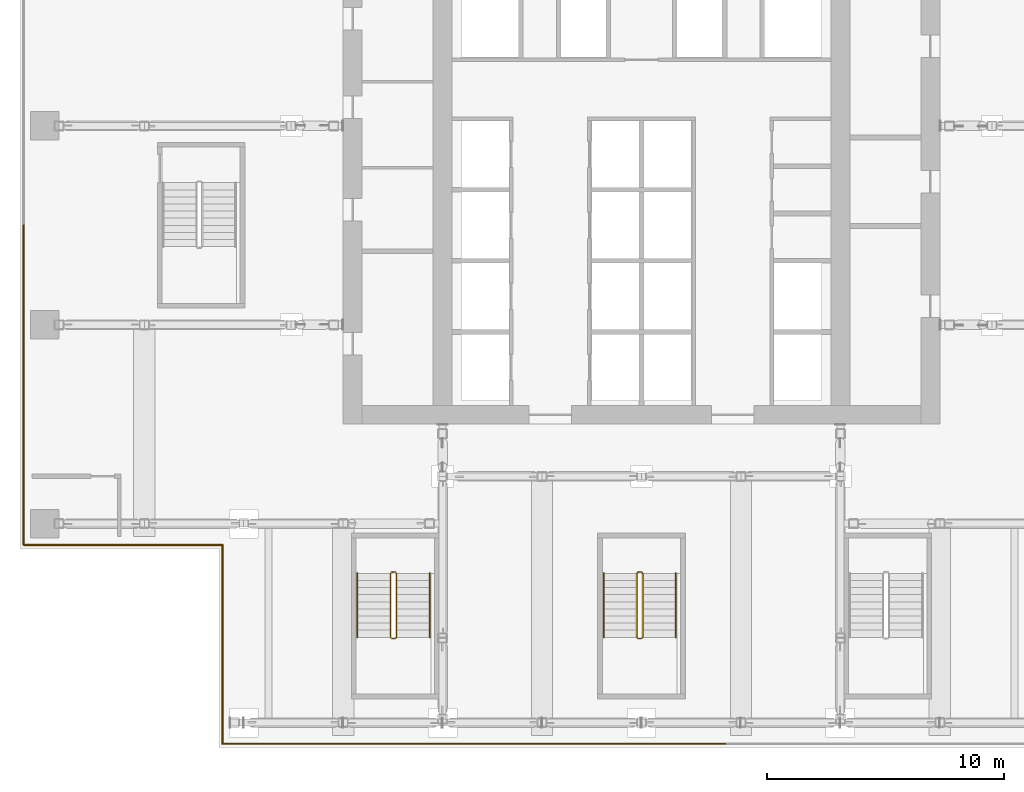
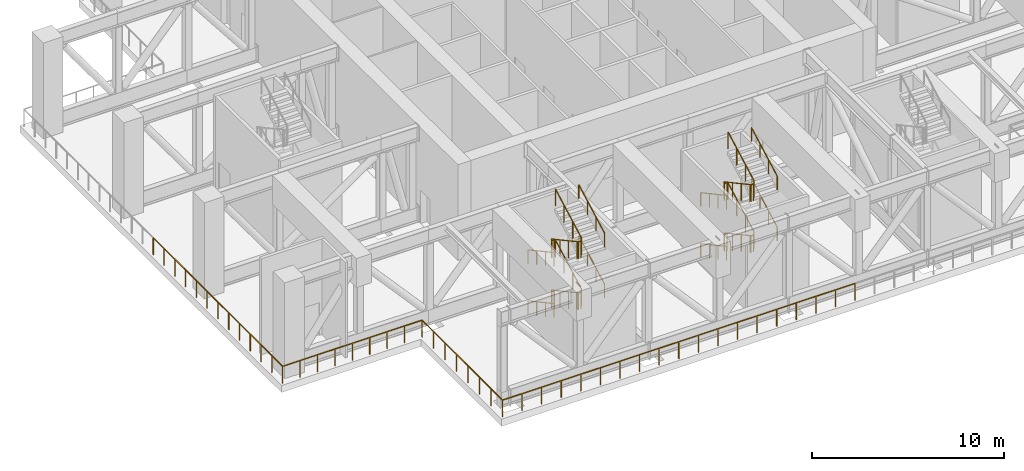
# One storey, part 20 of 23: 17 railings.
"""IFC4 building model written with IfcOpenShell, lengths in metres."""

import ifcopenshell
import ifcopenshell.guid

model = None  # the IFC model being written
_history = None  # IfcOwnerHistory: only IFC2X3 demands one
_inside = {}  # id of a spatial element -> (the spatial element, [elements in it])
_under = {}  # id of a project, library or spatial element -> (it, [spatial elements below it])
_declared = {}  # id of a project -> (the project, [libraries it declares])
_typed = {}  # id of a type object -> (the type object, [elements of that type])
_made_of = {}  # id of a material, layer set ... -> (it, [elements and type objects made of it])


def new_model(schema):
    """Start an empty IFC model of exactly this schema.

    Asked for "IFC4X3", IfcOpenShell would pick the latest addendum, in which some entities
    have other attributes; the version numbers below select the first issue.
    IFC2X3 requires an IfcOwnerHistory on every rooted entity: one is made here for all.
    """
    global model, _history
    if schema == "IFC4X3":
        model = ifcopenshell.file(schema_version=(4, 3, 0, 0))
    else:
        model = ifcopenshell.file(schema=schema)
    _inside.clear()
    _under.clear()
    _declared.clear()
    _typed.clear()
    _made_of.clear()
    _history = None
    if model.schema == "IFC2X3":
        org = make("IfcOrganization", Name="unknown")
        user = make(
            "IfcPersonAndOrganization",
            ThePerson=make("IfcPerson", FamilyName="unknown"),
            TheOrganization=org,
        )
        app = make(
            "IfcApplication",
            ApplicationDeveloper=org,
            Version="unknown",
            ApplicationFullName="unknown",
            ApplicationIdentifier="unknown",
        )
        _history = make(
            "IfcOwnerHistory",
            OwningUser=user,
            OwningApplication=app,
            ChangeAction="ADDED",
            CreationDate=0,
        )
    return model


def make(cls, **values):
    """One entity of the class cls with the attributes given. An attribute that is None is left unset."""
    return model.create_entity(
        cls, **{name: value for name, value in values.items() if value is not None}
    )


def rooted(cls, **values):
    """An entity with a GlobalId (a new one), such as an element, a storey or a relation."""
    return make(cls, GlobalId=ifcopenshell.guid.new(), OwnerHistory=_history, **values)


def si_unit(unit_type, name, prefix=None):
    """IfcSIUnit, for example si_unit("LENGTHUNIT", "METRE", prefix="MILLI")."""
    return make("IfcSIUnit", UnitType=unit_type, Prefix=prefix, Name=name)


def assignment(units):
    """IfcUnitAssignment: the units of a project."""
    return None if units is None else make("IfcUnitAssignment", Units=units)


def point(xyz):
    """IfcCartesianPoint."""
    return None if xyz is None else make("IfcCartesianPoint", Coordinates=xyz)


def direction(xyz):
    """IfcDirection."""
    return None if xyz is None else make("IfcDirection", DirectionRatios=xyz)


def frame(location, z_axis=None, x_axis=None):
    """IfcAxis2Placement3D, a coordinate frame: its origin and axes. An axis left out is left unset."""
    return make(
        "IfcAxis2Placement3D",
        Location=point(location),
        Axis=direction(z_axis),
        RefDirection=direction(x_axis),
    )


def frame_2d(location, x_axis=None):
    """IfcAxis2Placement2D, a coordinate frame in the plane: its origin and x axis."""
    return make(
        "IfcAxis2Placement2D", Location=point(location), RefDirection=direction(x_axis)
    )


def origin():
    """The frame at (0, 0, 0) with its axes left unset."""
    return frame((0.0, 0.0, 0.0))


def origin_2d():
    """The frame at (0, 0) in the plane with its x axis left unset."""
    return frame_2d((0.0, 0.0))


def place(relative_to, where):
    """IfcLocalPlacement: puts the frame where relative to a parent placement (None: the world)."""
    return make(
        "IfcLocalPlacement", PlacementRelTo=relative_to, RelativePlacement=where
    )


def context(
    kind, dimensions, precision=None, world=None, true_north=None, identifier=None
):
    """IfcGeometricRepresentationContext, for example the 3D "Model" context."""
    return make(
        "IfcGeometricRepresentationContext",
        ContextIdentifier=identifier,
        ContextType=kind,
        CoordinateSpaceDimension=dimensions,
        Precision=precision,
        WorldCoordinateSystem=world,
        TrueNorth=true_north,
    )


def subcontext(parent, identifier, kind, view, scale=None):
    """IfcGeometricRepresentationSubContext, for example "Body" below "Model"."""
    return make(
        "IfcGeometricRepresentationSubContext",
        ContextIdentifier=identifier,
        ContextType=kind,
        ParentContext=parent,
        TargetScale=scale,
        TargetView=view,
    )


def project(units=None, contexts=None):
    """IfcProject with its units and contexts."""
    return rooted(
        "IfcProject",
        Name="project",
        RepresentationContexts=contexts,
        UnitsInContext=assignment(units),
    )


def spatial(cls, under=None, at=None, **own):
    """A site, building, storey or space (cls), placed at a placement, below another one or the project."""
    s = rooted(cls, ObjectPlacement=at, **own)
    if under is not None:
        _under.setdefault(under.id(), (under, []))[1].append(s)
    return s


def profile(cls, at=None, kind="AREA", **sizes):
    """A parametric profile (cls). Its sizes go by their IFC names, for example OverallWidth=200.0."""
    return make(cls, ProfileType=kind, Position=at, **sizes)


def rectangle(**sizes):
    """IfcRectangleProfileDef."""
    return profile("IfcRectangleProfileDef", **sizes)


def extrude(swept, where, along, depth):
    """IfcExtrudedAreaSolid: the profile swept, set in the frame where, extruded along a direction by depth."""
    return make(
        "IfcExtrudedAreaSolid",
        SweptArea=swept,
        Position=where,
        ExtrudedDirection=direction(along),
        Depth=depth,
    )


def shape(context_of_items, identifier, shape_type, items):
    """IfcShapeRepresentation: the items that make up one representation, for example the "Body"."""
    return make(
        "IfcShapeRepresentation",
        ContextOfItems=context_of_items,
        RepresentationIdentifier=identifier,
        RepresentationType=shape_type,
        Items=items,
    )


def material(Name=None, Category=None):
    """IfcMaterial."""
    return make("IfcMaterial", Name=Name, Category=Category)


def made_of(thing, what):
    """Note that an element or type object is made of a material, layer set ...; save() writes the relation."""
    if what is not None:
        _made_of.setdefault(what.id(), (what, []))[1].append(thing)
    return thing


def type_object(cls, material=None, **own):
    """A type object (cls), such as IfcWallType, which elements share."""
    return made_of(rooted(cls, **own), material)


def element(
    cls,
    number,
    at=None,
    inside=None,
    cuts=None,
    type_object=None,
    material=None,
    context=None,
    identifier="Body",
    shape_type=None,
    held_by="IfcProductDefinitionShape",
    body=None,
    shapes=None,
    **own,
):
    """One element of the class cls, such as IfcWall. Its Tag is "e" and its number.

    at: its placement. inside: the storey or other place that contains it. cuts: it is an
    opening in that element (IfcRelVoidsElement). A single representation is given by context,
    identifier, shape_type and body (its items); several are given by shapes. held_by: the class
    of the entity that holds the representations. save() writes the other relations.
    """
    e = rooted(cls, Tag="e%d" % number, ObjectPlacement=at, **own)
    if body is not None:
        shapes = [shape(context, identifier, shape_type, body)]
    if shapes is not None:
        e.Representation = make(held_by, Representations=shapes)
    if inside is not None:
        _inside.setdefault(inside.id(), (inside, []))[1].append(e)
    if cuts is not None:
        rooted(
            "IfcRelVoidsElement", RelatingBuildingElement=cuts, RelatedOpeningElement=e
        )
    if type_object is not None:
        _typed.setdefault(type_object.id(), (type_object, []))[1].append(e)
    return made_of(e, material)


def aggregate(whole, parts):
    """IfcRelAggregates: a whole, such as a stair, and the parts it consists of."""
    return rooted("IfcRelAggregates", RelatingObject=whole, RelatedObjects=parts)


def save(model, path):
    """Write the relations noted so far, then the file.

    IfcRelAggregates (storeys below a building ...), IfcRelContainedInSpatialStructure (elements
    in a storey), IfcRelDefinesByType, IfcRelAssociatesMaterial and IfcRelDeclares: one each for
    every whole, place, type object, material and project.
    """
    for whole, parts in _under.values():
        aggregate(whole, parts)
    for where, things in _inside.values():
        rooted(
            "IfcRelContainedInSpatialStructure",
            RelatedElements=things,
            RelatingStructure=where,
        )
    for kind, things in _typed.values():
        rooted("IfcRelDefinesByType", RelatedObjects=things, RelatingType=kind)
    for what, things in _made_of.values():
        rooted("IfcRelAssociatesMaterial", RelatedObjects=things, RelatingMaterial=what)
    for by, libraries in _declared.values():
        rooted("IfcRelDeclares", RelatingContext=by, RelatedDefinitions=libraries)
    model.write(path)


model = new_model("IFC4")

# Units and contexts
model_context = context("Model", 3, precision=1e-05, world=origin(), true_north=direction((0.0, 1.0)))
body_context = subcontext(model_context, "Body", "Model", "MODEL_VIEW")
ifc_project = project(units=[si_unit("LENGTHUNIT", "METRE"), si_unit("AREAUNIT", "SQUARE_METRE"), si_unit("VOLUMEUNIT", "CUBIC_METRE"), si_unit("PLANEANGLEUNIT", "RADIAN"), si_unit("MASSUNIT", "GRAM", prefix="KILO")], contexts=[model_context])

# Site, building, storey
site_placement = place(None, origin())
site = spatial("IfcSite", under=ifc_project, at=site_placement, CompositionType="ELEMENT")
building_placement = place(site_placement, origin())
building = spatial("IfcBuilding", under=site, at=building_placement, Name="Vermilion Ogive Tower", CompositionType="ELEMENT")
storey_placement = place(building_placement, frame((0.0, 0.0, 121.800048828125)))
storey = spatial("IfcBuildingStorey", under=building, at=storey_placement, Name="L31", CompositionType="ELEMENT", Elevation=121.800048828125)

# Railings
ifc_material_1 = material(Name="Stainless steel and glass", Category="steel")
railing_type_1 = type_object("IfcRailingType", Name="Edge guard", PredefinedType="GUARDRAIL", material=ifc_material_1)
railing_1_placement = place(storey_placement, frame((-17.699951171875, -21.89990234375, 0.0)))
element("IfcRailing", 1, at=railing_1_placement, inside=storey, type_object=railing_type_1, Name="Open edge guard L31 1.1", PredefinedType="GUARDRAIL", context=body_context, shape_type="SweptSolid", body=[
    extrude(rectangle(XDim=0.048095703125, YDim=0.048095703125, at=origin_2d()), frame((0.0, 0.0, 1.076171875), z_axis=(0.0, 1.0, 0.0), x_axis=(-1.0, 0.0, 0.0)), (0.0, 0.0, 1.0), 8.39990234375),
    extrude(rectangle(XDim=0.0419921875, YDim=0.0419921875, at=origin_2d()), origin(), (0.0, 0.0, 1.0), 1.052001953125),
    extrude(rectangle(XDim=0.0419921875, YDim=0.0419921875, at=origin_2d()), frame((0.0, 1.199951171875, 0.0)), (0.0, 0.0, 1.0), 1.052001953125),
    extrude(rectangle(XDim=0.0419921875, YDim=0.0419921875, at=origin_2d()), frame((0.0, 2.39990234375, 0.0)), (0.0, 0.0, 1.0), 1.052001953125),
    extrude(rectangle(XDim=0.0419921875, YDim=0.0419921875, at=origin_2d()), frame((0.0, 3.599853515625, 0.0)), (0.0, 0.0, 1.0), 1.052001953125),
    extrude(rectangle(XDim=0.0419921875, YDim=0.0419921875, at=origin_2d()), frame((0.0, 4.800048828125, 0.0)), (0.0, 0.0, 1.0), 1.052001953125),
    extrude(rectangle(XDim=0.0419921875, YDim=0.0419921875, at=origin_2d()), frame((0.0, 6.0, 0.0)), (0.0, 0.0, 1.0), 1.052001953125),
    extrude(rectangle(XDim=0.0419921875, YDim=0.0419921875, at=origin_2d()), frame((0.0, 7.199951171875, 0.0)), (0.0, 0.0, 1.0), 1.052001953125),
    extrude(rectangle(XDim=0.0419921875, YDim=0.0419921875, at=origin_2d()), frame((0.0, 8.39990234375, 0.0)), (0.0, 0.0, 1.0), 1.052001953125),
])
railing_2_placement = place(storey_placement, frame((-17.699951171875, -13.5, 0.0)))
element("IfcRailing", 2, at=railing_2_placement, inside=storey, type_object=railing_type_1, Name="Open edge guard L31 2.1", PredefinedType="GUARDRAIL", context=body_context, shape_type="SweptSolid", body=[
    extrude(rectangle(XDim=0.048095703125, YDim=0.048095703125, at=origin_2d()), frame((0.0, 0.0, 1.076171875), z_axis=(-1.0, 0.0, 0.0), x_axis=(0.0, -1.0, 0.0)), (0.0, 0.0, 1.0), 8.400146484375),
    extrude(rectangle(XDim=0.0419921875, YDim=0.0419921875, at=origin_2d()), origin(), (0.0, 0.0, 1.0), 1.052001953125),
    extrude(rectangle(XDim=0.0419921875, YDim=0.0419921875, at=origin_2d()), frame((-1.050048828125, 0.0, 0.0)), (0.0, 0.0, 1.0), 1.052001953125),
    extrude(rectangle(XDim=0.0419921875, YDim=0.0419921875, at=origin_2d()), frame((-2.10009765625, 0.0, 0.0)), (0.0, 0.0, 1.0), 1.052001953125),
    extrude(rectangle(XDim=0.0419921875, YDim=0.0419921875, at=origin_2d()), frame((-3.150146484375, 0.0, 0.0)), (0.0, 0.0, 1.0), 1.052001953125),
    extrude(rectangle(XDim=0.0419921875, YDim=0.0419921875, at=origin_2d()), frame((-4.2001953125, 0.0, 0.0)), (0.0, 0.0, 1.0), 1.052001953125),
    extrude(rectangle(XDim=0.0419921875, YDim=0.0419921875, at=origin_2d()), frame((-5.25, 0.0, 0.0)), (0.0, 0.0, 1.0), 1.052001953125),
    extrude(rectangle(XDim=0.0419921875, YDim=0.0419921875, at=origin_2d()), frame((-6.300048828125, 0.0, 0.0)), (0.0, 0.0, 1.0), 1.052001953125),
    extrude(rectangle(XDim=0.0419921875, YDim=0.0419921875, at=origin_2d()), frame((-7.35009765625, 0.0, 0.0)), (0.0, 0.0, 1.0), 1.052001953125),
    extrude(rectangle(XDim=0.0419921875, YDim=0.0419921875, at=origin_2d()), frame((-8.400146484375, 0.0, 0.0)), (0.0, 0.0, 1.0), 1.052001953125),
])
for number, where, name in (
    (3, (-26.10009765625, -13.5, 0.0), "Open edge guard L31 3.1"),
    (4, (-26.10009765625, -6.75, 0.0), "Open edge guard L31 3.2"),
):
    element("IfcRailing", number, at=place(storey_placement, frame(where)), inside=storey, type_object=railing_type_1, Name=name, PredefinedType="GUARDRAIL", context=body_context, shape_type="SweptSolid", body=[
        extrude(rectangle(XDim=0.048095703125, YDim=0.048095703125, at=origin_2d()), frame((0.0, 0.0, 1.076171875), z_axis=(0.0, 1.0, 0.0), x_axis=(-1.0, 0.0, 0.0)), (0.0, 0.0, 1.0), 6.75),
        extrude(rectangle(XDim=0.0419921875, YDim=0.0419921875, at=origin_2d()), origin(), (0.0, 0.0, 1.0), 1.052001953125),
        extrude(rectangle(XDim=0.0419921875, YDim=0.0419921875, at=origin_2d()), frame((0.0, 1.125, 0.0)), (0.0, 0.0, 1.0), 1.052001953125),
        extrude(rectangle(XDim=0.0419921875, YDim=0.0419921875, at=origin_2d()), frame((0.0, 2.25, 0.0)), (0.0, 0.0, 1.0), 1.052001953125),
        extrude(rectangle(XDim=0.0419921875, YDim=0.0419921875, at=origin_2d()), frame((0.0, 3.375, 0.0)), (0.0, 0.0, 1.0), 1.052001953125),
        extrude(rectangle(XDim=0.0419921875, YDim=0.0419921875, at=origin_2d()), frame((0.0, 4.5, 0.0)), (0.0, 0.0, 1.0), 1.052001953125),
        extrude(rectangle(XDim=0.0419921875, YDim=0.0419921875, at=origin_2d()), frame((0.0, 5.625, 0.0)), (0.0, 0.0, 1.0), 1.052001953125),
        extrude(rectangle(XDim=0.0419921875, YDim=0.0419921875, at=origin_2d()), frame((0.0, 6.75, 0.0)), (0.0, 0.0, 1.0), 1.052001953125),
    ])
for number, where, name in (
    (5, (3.5400390625, -21.89990234375, 0.0), "Open edge guard L31 12.3"),
    (6, (-3.5400390625, -21.89990234375, 0.0), "Open edge guard L31 12.4"),
):
    element("IfcRailing", number, at=place(storey_placement, frame(where)), inside=storey, type_object=railing_type_1, Name=name, PredefinedType="GUARDRAIL", context=body_context, shape_type="SweptSolid", body=[
        extrude(rectangle(XDim=0.048095703125, YDim=0.048095703125, at=origin_2d()), frame((0.0, 0.0, 1.076171875), z_axis=(-1.0, 0.0, 0.0), x_axis=(0.0, -1.0, 0.0)), (0.0, 0.0, 1.0), 7.080078125),
        extrude(rectangle(XDim=0.0419921875, YDim=0.0419921875, at=origin_2d()), origin(), (0.0, 0.0, 1.0), 1.052001953125),
        extrude(rectangle(XDim=0.0419921875, YDim=0.0419921875, at=origin_2d()), frame((-1.179931640625, 0.0, 0.0)), (0.0, 0.0, 1.0), 1.052001953125),
        extrude(rectangle(XDim=0.0419921875, YDim=0.0419921875, at=origin_2d()), frame((-2.360107421875, 0.0, 0.0)), (0.0, 0.0, 1.0), 1.052001953125),
        extrude(rectangle(XDim=0.0419921875, YDim=0.0419921875, at=origin_2d()), frame((-3.5400390625, 0.0, 0.0)), (0.0, 0.0, 1.0), 1.052001953125),
        extrude(rectangle(XDim=0.0419921875, YDim=0.0419921875, at=origin_2d()), frame((-4.719970703125, 0.0, 0.0)), (0.0, 0.0, 1.0), 1.052001953125),
        extrude(rectangle(XDim=0.0419921875, YDim=0.0419921875, at=origin_2d()), frame((-5.900146484375, 0.0, 0.0)), (0.0, 0.0, 1.0), 1.052001953125),
        extrude(rectangle(XDim=0.0419921875, YDim=0.0419921875, at=origin_2d()), frame((-7.080078125, 0.0, 0.0)), (0.0, 0.0, 1.0), 1.052001953125),
    ])
railing_3_placement = place(storey_placement, frame((-10.6201171875, -21.89990234375, 0.0)))
element("IfcRailing", 7, at=railing_3_placement, inside=storey, type_object=railing_type_1, Name="Open edge guard L31 12.5", PredefinedType="GUARDRAIL", context=body_context, shape_type="SweptSolid", body=[
    extrude(rectangle(XDim=0.048095703125, YDim=0.048095703125, at=origin_2d()), frame((0.0, 0.0, 1.076171875), z_axis=(-1.0, 0.0, 0.0), x_axis=(0.0, -1.0, 0.0)), (0.0, 0.0, 1.0), 7.079833984375),
    extrude(rectangle(XDim=0.0419921875, YDim=0.0419921875, at=origin_2d()), origin(), (0.0, 0.0, 1.0), 1.052001953125),
    extrude(rectangle(XDim=0.0419921875, YDim=0.0419921875, at=origin_2d()), frame((-1.179931640625, 0.0, 0.0)), (0.0, 0.0, 1.0), 1.052001953125),
    extrude(rectangle(XDim=0.0419921875, YDim=0.0419921875, at=origin_2d()), frame((-2.35986328125, 0.0, 0.0)), (0.0, 0.0, 1.0), 1.052001953125),
    extrude(rectangle(XDim=0.0419921875, YDim=0.0419921875, at=origin_2d()), frame((-3.5400390625, 0.0, 0.0)), (0.0, 0.0, 1.0), 1.052001953125),
    extrude(rectangle(XDim=0.0419921875, YDim=0.0419921875, at=origin_2d()), frame((-4.719970703125, 0.0, 0.0)), (0.0, 0.0, 1.0), 1.052001953125),
    extrude(rectangle(XDim=0.0419921875, YDim=0.0419921875, at=origin_2d()), frame((-5.89990234375, 0.0, 0.0)), (0.0, 0.0, 1.0), 1.052001953125),
    extrude(rectangle(XDim=0.0419921875, YDim=0.0419921875, at=origin_2d()), frame((-7.079833984375, 0.0, 0.0)), (0.0, 0.0, 1.0), 1.052001953125),
])
ifc_material_2 = material(Name="Steel S355 painted", Category="steel")
railing_type_2 = type_object("IfcRailingType", Name="Stair guard 1100", PredefinedType="GUARDRAIL", material=ifc_material_2)
railing_4_placement = place(storey_placement, frame((-10.39990234375, -14.64990234375, 0.0)))
element("IfcRailing", 8, at=railing_4_placement, inside=storey, type_object=railing_type_2, Name="L31 ST3 stair guard 8", PredefinedType="GUARDRAIL", context=body_context, shape_type="SweptSolid", body=[
    extrude(rectangle(XDim=0.048095703125, YDim=0.048095703125, at=origin_2d()), frame((0.0, 0.0, 1.076171875), z_axis=(-1.0, 0.0, 0.0), x_axis=(0.0, -1.0, 0.0)), (0.0, 0.0, 1.0), 0.150146484375),
    extrude(rectangle(XDim=0.048095703125, YDim=0.048095703125, at=origin_2d()), frame((-0.150146484375, 0.0, 1.076171875), z_axis=(-0.282583949758, -0.282583949758, 0.916674763849), x_axis=(0.707106781187, -0.707106781187, 0.0)), (0.0, 0.0, 1.0), 0.177001953125),
    extrude(rectangle(XDim=0.048095703125, YDim=0.048095703125, at=origin_2d()), frame((-0.2001953125, -0.050048828125, 1.23828125), z_axis=(0.0, -0.879268380148, 0.476326690069), x_axis=(1.0, 0.0, 0.0)), (0.0, 0.0, 1.0), 3.07080078125),
    extrude(rectangle(XDim=0.048095703125, YDim=0.048095703125, at=origin_2d()), frame((-0.2001953125, -2.75, 2.701171875), z_axis=(0.707106781187, -0.707106781187, 0.0), x_axis=(0.707106781187, 0.707106781187, 0.0)), (0.0, 0.0, 1.0), 0.07080078125),
    extrude(rectangle(XDim=0.048095703125, YDim=0.048095703125, at=origin_2d()), frame((-0.150146484375, -2.800048828125, 2.701171875), z_axis=(1.0, 0.0, 0.0), x_axis=(0.0, 1.0, 0.0)), (0.0, 0.0, 1.0), 0.150146484375),
    extrude(rectangle(XDim=0.048095703125, YDim=0.048095703125, at=origin_2d()), frame((0.0, -2.800048828125, 2.701171875), z_axis=(0.281314826061, 0.282693820306, 0.917031173188), x_axis=(-0.708833529934, 0.705375805398, 0.0)), (0.0, 0.0, 1.0), 0.177001953125),
    extrude(rectangle(XDim=0.048095703125, YDim=0.048095703125, at=origin_2d()), frame((0.0498046875, -2.75, 2.86328125), z_axis=(0.0, 0.879268380148, 0.476326690069), x_axis=(-1.0, 0.0, 0.0)), (0.0, 0.0, 1.0), 3.07080078125),
    extrude(rectangle(XDim=0.048095703125, YDim=0.048095703125, at=origin_2d()), frame((0.0498046875, -0.050048828125, 4.326171875), z_axis=(-0.705375805398, 0.708833529934, 0.0), x_axis=(-0.708833529934, -0.705375805398, 0.0)), (0.0, 0.0, 1.0), 0.070556640625),
    extrude(rectangle(XDim=0.048095703125, YDim=0.048095703125, at=origin_2d()), frame((0.0, 0.0, 4.326171875), z_axis=(-1.0, 0.0, 0.0), x_axis=(0.0, -1.0, 0.0)), (0.0, 0.0, 1.0), 0.150146484375),
    extrude(rectangle(XDim=0.048095703125, YDim=0.048095703125, at=origin_2d()), frame((-0.150146484375, 0.0, 4.326171875), z_axis=(-0.282583949758, -0.282583949758, 0.916674763849), x_axis=(0.707106781187, -0.707106781187, 0.0)), (0.0, 0.0, 1.0), 0.177001953125),
    extrude(rectangle(XDim=0.048095703125, YDim=0.048095703125, at=origin_2d()), frame((-0.2001953125, -0.050048828125, 4.48828125), z_axis=(0.0, -0.879268380148, 0.476326690069), x_axis=(1.0, 0.0, 0.0)), (0.0, 0.0, 1.0), 3.07080078125),
    extrude(rectangle(XDim=0.048095703125, YDim=0.048095703125, at=origin_2d()), frame((-0.2001953125, -2.75, 5.951171875), z_axis=(0.707106781187, -0.707106781187, 0.0), x_axis=(0.707106781187, 0.707106781187, 0.0)), (0.0, 0.0, 1.0), 0.07080078125),
    extrude(rectangle(XDim=0.048095703125, YDim=0.048095703125, at=origin_2d()), frame((-0.150146484375, -2.800048828125, 5.951171875), z_axis=(1.0, 0.0, 0.0), x_axis=(0.0, 1.0, 0.0)), (0.0, 0.0, 1.0), 0.150146484375),
    extrude(rectangle(XDim=0.048095703125, YDim=0.048095703125, at=origin_2d()), frame((0.0, -2.800048828125, 5.951171875), z_axis=(0.281314826061, 0.282693820306, 0.917031173188), x_axis=(-0.708833529934, 0.705375805398, 0.0)), (0.0, 0.0, 1.0), 0.177001953125),
    extrude(rectangle(XDim=0.048095703125, YDim=0.048095703125, at=origin_2d()), frame((0.0498046875, -2.75, 6.11328125), z_axis=(0.0, 0.879268380148, 0.476326690069), x_axis=(-1.0, 0.0, 0.0)), (0.0, 0.0, 1.0), 3.07080078125),
    extrude(rectangle(XDim=0.0419921875, YDim=0.0419921875, at=origin_2d()), origin(), (0.0, 0.0, 1.0), 1.052001953125),
    extrude(rectangle(XDim=0.0419921875, YDim=0.0419921875, at=origin_2d()), frame((-0.150146484375, 0.0, 0.0)), (0.0, 0.0, 1.0), 1.052001953125),
    extrude(rectangle(XDim=0.0419921875, YDim=0.0419921875, at=origin_2d()), frame((-0.2001953125, -0.050048828125, 0.162353515625)), (0.0, 0.0, 1.0), 1.052001953125),
    extrude(rectangle(XDim=0.0419921875, YDim=0.0419921875, at=origin_2d()), frame((-0.2001953125, -0.949951171875, 0.64990234375)), (0.0, 0.0, 1.0), 1.052001953125),
    extrude(rectangle(XDim=0.0419921875, YDim=0.0419921875, at=origin_2d()), frame((-0.2001953125, -1.85009765625, 1.137451171875)), (0.0, 0.0, 1.0), 1.052001953125),
    extrude(rectangle(XDim=0.0419921875, YDim=0.0419921875, at=origin_2d()), frame((-0.2001953125, -2.75, 1.625)), (0.0, 0.0, 1.0), 1.052001953125),
    extrude(rectangle(XDim=0.0419921875, YDim=0.0419921875, at=origin_2d()), frame((-0.150146484375, -2.800048828125, 1.625)), (0.0, 0.0, 1.0), 1.052001953125),
    extrude(rectangle(XDim=0.0419921875, YDim=0.0419921875, at=origin_2d()), frame((0.0, -2.800048828125, 1.625)), (0.0, 0.0, 1.0), 1.052001953125),
    extrude(rectangle(XDim=0.0419921875, YDim=0.0419921875, at=origin_2d()), frame((0.0498046875, -2.75, 1.787353515625)), (0.0, 0.0, 1.0), 1.052001953125),
    extrude(rectangle(XDim=0.0419921875, YDim=0.0419921875, at=origin_2d()), frame((0.0498046875, -1.85009765625, 2.27490234375)), (0.0, 0.0, 1.0), 1.052001953125),
    extrude(rectangle(XDim=0.0419921875, YDim=0.0419921875, at=origin_2d()), frame((0.0498046875, -0.949951171875, 2.762451171875)), (0.0, 0.0, 1.0), 1.052001953125),
    extrude(rectangle(XDim=0.0419921875, YDim=0.0419921875, at=origin_2d()), frame((0.0498046875, -0.050048828125, 3.25)), (0.0, 0.0, 1.0), 1.052001953125),
    extrude(rectangle(XDim=0.0419921875, YDim=0.0419921875, at=origin_2d()), frame((0.0, 0.0, 3.25)), (0.0, 0.0, 1.0), 1.052001953125),
    extrude(rectangle(XDim=0.0419921875, YDim=0.0419921875, at=origin_2d()), frame((-0.150146484375, 0.0, 3.25)), (0.0, 0.0, 1.0), 1.052001953125),
    extrude(rectangle(XDim=0.0419921875, YDim=0.0419921875, at=origin_2d()), frame((-0.2001953125, -0.050048828125, 3.412353515625)), (0.0, 0.0, 1.0), 1.052001953125),
    extrude(rectangle(XDim=0.0419921875, YDim=0.0419921875, at=origin_2d()), frame((-0.2001953125, -0.949951171875, 3.89990234375)), (0.0, 0.0, 1.0), 1.052001953125),
    extrude(rectangle(XDim=0.0419921875, YDim=0.0419921875, at=origin_2d()), frame((-0.2001953125, -1.85009765625, 4.387451171875)), (0.0, 0.0, 1.0), 1.052001953125),
    extrude(rectangle(XDim=0.0419921875, YDim=0.0419921875, at=origin_2d()), frame((-0.2001953125, -2.75, 4.875)), (0.0, 0.0, 1.0), 1.052001953125),
    extrude(rectangle(XDim=0.0419921875, YDim=0.0419921875, at=origin_2d()), frame((-0.150146484375, -2.800048828125, 4.875)), (0.0, 0.0, 1.0), 1.052001953125),
    extrude(rectangle(XDim=0.0419921875, YDim=0.0419921875, at=origin_2d()), frame((0.0, -2.800048828125, 4.875)), (0.0, 0.0, 1.0), 1.052001953125),
    extrude(rectangle(XDim=0.0419921875, YDim=0.0419921875, at=origin_2d()), frame((0.0498046875, -2.75, 5.037353515625)), (0.0, 0.0, 1.0), 1.052001953125),
    extrude(rectangle(XDim=0.0419921875, YDim=0.0419921875, at=origin_2d()), frame((0.0498046875, -1.85009765625, 5.52490234375)), (0.0, 0.0, 1.0), 1.052001953125),
    extrude(rectangle(XDim=0.0419921875, YDim=0.0419921875, at=origin_2d()), frame((0.0498046875, -0.949951171875, 6.012451171875)), (0.0, 0.0, 1.0), 1.052001953125),
    extrude(rectangle(XDim=0.0419921875, YDim=0.0419921875, at=origin_2d()), frame((0.0498046875, -0.050048828125, 6.5)), (0.0, 0.0, 1.0), 1.052001953125),
])
railing_5_placement = place(storey_placement, frame((0.0, -14.64990234375, 0.0)))
element("IfcRailing", 9, at=railing_5_placement, inside=storey, type_object=railing_type_2, Name="L31 ST4 stair guard 8", PredefinedType="GUARDRAIL", context=body_context, shape_type="SweptSolid", body=[
    extrude(rectangle(XDim=0.048095703125, YDim=0.048095703125, at=origin_2d()), frame((0.0, 0.0, 1.076171875), z_axis=(-1.0, 0.0, 0.0), x_axis=(0.0, -1.0, 0.0)), (0.0, 0.0, 1.0), 0.14990234375),
    extrude(rectangle(XDim=0.048095703125, YDim=0.048095703125, at=origin_2d()), frame((-0.14990234375, 0.0, 1.076171875), z_axis=(-0.282583949758, -0.282583949758, 0.916674763849), x_axis=(0.707106781187, -0.707106781187, 0.0)), (0.0, 0.0, 1.0), 0.177001953125),
    extrude(rectangle(XDim=0.048095703125, YDim=0.048095703125, at=origin_2d()), frame((-0.199951171875, -0.050048828125, 1.23828125), z_axis=(0.0, -0.879268380148, 0.476326690069), x_axis=(1.0, 0.0, 0.0)), (0.0, 0.0, 1.0), 3.07080078125),
    extrude(rectangle(XDim=0.048095703125, YDim=0.048095703125, at=origin_2d()), frame((-0.199951171875, -2.75, 2.701171875), z_axis=(0.707106781187, -0.707106781187, 0.0), x_axis=(0.707106781187, 0.707106781187, 0.0)), (0.0, 0.0, 1.0), 0.07080078125),
    extrude(rectangle(XDim=0.048095703125, YDim=0.048095703125, at=origin_2d()), frame((-0.14990234375, -2.800048828125, 2.701171875), z_axis=(1.0, 0.0, 0.0), x_axis=(0.0, 1.0, 0.0)), (0.0, 0.0, 1.0), 0.14990234375),
    extrude(rectangle(XDim=0.048095703125, YDim=0.048095703125, at=origin_2d()), frame((0.0, -2.800048828125, 2.701171875), z_axis=(0.282583949758, 0.282583949758, 0.916674763849), x_axis=(-0.707106781187, 0.707106781187, 0.0)), (0.0, 0.0, 1.0), 0.177001953125),
    extrude(rectangle(XDim=0.048095703125, YDim=0.048095703125, at=origin_2d()), frame((0.050048828125, -2.75, 2.86328125), z_axis=(0.0, 0.879268380148, 0.476326690069), x_axis=(-1.0, 0.0, 0.0)), (0.0, 0.0, 1.0), 3.07080078125),
    extrude(rectangle(XDim=0.048095703125, YDim=0.048095703125, at=origin_2d()), frame((0.050048828125, -0.050048828125, 4.326171875), z_axis=(-0.707106781187, 0.707106781187, 0.0), x_axis=(-0.707106781187, -0.707106781187, 0.0)), (0.0, 0.0, 1.0), 0.07080078125),
    extrude(rectangle(XDim=0.048095703125, YDim=0.048095703125, at=origin_2d()), frame((0.0, 0.0, 4.326171875), z_axis=(-1.0, 0.0, 0.0), x_axis=(0.0, -1.0, 0.0)), (0.0, 0.0, 1.0), 0.14990234375),
    extrude(rectangle(XDim=0.048095703125, YDim=0.048095703125, at=origin_2d()), frame((-0.14990234375, 0.0, 4.326171875), z_axis=(-0.282583949758, -0.282583949758, 0.916674763849), x_axis=(0.707106781187, -0.707106781187, 0.0)), (0.0, 0.0, 1.0), 0.177001953125),
    extrude(rectangle(XDim=0.048095703125, YDim=0.048095703125, at=origin_2d()), frame((-0.199951171875, -0.050048828125, 4.48828125), z_axis=(0.0, -0.879268380148, 0.476326690069), x_axis=(1.0, 0.0, 0.0)), (0.0, 0.0, 1.0), 3.07080078125),
    extrude(rectangle(XDim=0.048095703125, YDim=0.048095703125, at=origin_2d()), frame((-0.199951171875, -2.75, 5.951171875), z_axis=(0.707106781187, -0.707106781187, 0.0), x_axis=(0.707106781187, 0.707106781187, 0.0)), (0.0, 0.0, 1.0), 0.07080078125),
    extrude(rectangle(XDim=0.048095703125, YDim=0.048095703125, at=origin_2d()), frame((-0.14990234375, -2.800048828125, 5.951171875), z_axis=(1.0, 0.0, 0.0), x_axis=(0.0, 1.0, 0.0)), (0.0, 0.0, 1.0), 0.14990234375),
    extrude(rectangle(XDim=0.048095703125, YDim=0.048095703125, at=origin_2d()), frame((0.0, -2.800048828125, 5.951171875), z_axis=(0.282583949758, 0.282583949758, 0.916674763849), x_axis=(-0.707106781187, 0.707106781187, 0.0)), (0.0, 0.0, 1.0), 0.177001953125),
    extrude(rectangle(XDim=0.048095703125, YDim=0.048095703125, at=origin_2d()), frame((0.050048828125, -2.75, 6.11328125), z_axis=(0.0, 0.879268380148, 0.476326690069), x_axis=(-1.0, 0.0, 0.0)), (0.0, 0.0, 1.0), 3.07080078125),
    extrude(rectangle(XDim=0.0419921875, YDim=0.0419921875, at=origin_2d()), origin(), (0.0, 0.0, 1.0), 1.052001953125),
    extrude(rectangle(XDim=0.0419921875, YDim=0.0419921875, at=origin_2d()), frame((-0.14990234375, 0.0, 0.0)), (0.0, 0.0, 1.0), 1.052001953125),
    extrude(rectangle(XDim=0.0419921875, YDim=0.0419921875, at=origin_2d()), frame((-0.199951171875, -0.050048828125, 0.162353515625)), (0.0, 0.0, 1.0), 1.052001953125),
    extrude(rectangle(XDim=0.0419921875, YDim=0.0419921875, at=origin_2d()), frame((-0.199951171875, -0.949951171875, 0.64990234375)), (0.0, 0.0, 1.0), 1.052001953125),
    extrude(rectangle(XDim=0.0419921875, YDim=0.0419921875, at=origin_2d()), frame((-0.199951171875, -1.85009765625, 1.137451171875)), (0.0, 0.0, 1.0), 1.052001953125),
    extrude(rectangle(XDim=0.0419921875, YDim=0.0419921875, at=origin_2d()), frame((-0.199951171875, -2.75, 1.625)), (0.0, 0.0, 1.0), 1.052001953125),
    extrude(rectangle(XDim=0.0419921875, YDim=0.0419921875, at=origin_2d()), frame((-0.14990234375, -2.800048828125, 1.625)), (0.0, 0.0, 1.0), 1.052001953125),
    extrude(rectangle(XDim=0.0419921875, YDim=0.0419921875, at=origin_2d()), frame((0.0, -2.800048828125, 1.625)), (0.0, 0.0, 1.0), 1.052001953125),
    extrude(rectangle(XDim=0.0419921875, YDim=0.0419921875, at=origin_2d()), frame((0.050048828125, -2.75, 1.787353515625)), (0.0, 0.0, 1.0), 1.052001953125),
    extrude(rectangle(XDim=0.0419921875, YDim=0.0419921875, at=origin_2d()), frame((0.050048828125, -1.85009765625, 2.27490234375)), (0.0, 0.0, 1.0), 1.052001953125),
    extrude(rectangle(XDim=0.0419921875, YDim=0.0419921875, at=origin_2d()), frame((0.050048828125, -0.949951171875, 2.762451171875)), (0.0, 0.0, 1.0), 1.052001953125),
    extrude(rectangle(XDim=0.0419921875, YDim=0.0419921875, at=origin_2d()), frame((0.050048828125, -0.050048828125, 3.25)), (0.0, 0.0, 1.0), 1.052001953125),
    extrude(rectangle(XDim=0.0419921875, YDim=0.0419921875, at=origin_2d()), frame((0.0, 0.0, 3.25)), (0.0, 0.0, 1.0), 1.052001953125),
    extrude(rectangle(XDim=0.0419921875, YDim=0.0419921875, at=origin_2d()), frame((-0.14990234375, 0.0, 3.25)), (0.0, 0.0, 1.0), 1.052001953125),
    extrude(rectangle(XDim=0.0419921875, YDim=0.0419921875, at=origin_2d()), frame((-0.199951171875, -0.050048828125, 3.412353515625)), (0.0, 0.0, 1.0), 1.052001953125),
    extrude(rectangle(XDim=0.0419921875, YDim=0.0419921875, at=origin_2d()), frame((-0.199951171875, -0.949951171875, 3.89990234375)), (0.0, 0.0, 1.0), 1.052001953125),
    extrude(rectangle(XDim=0.0419921875, YDim=0.0419921875, at=origin_2d()), frame((-0.199951171875, -1.85009765625, 4.387451171875)), (0.0, 0.0, 1.0), 1.052001953125),
    extrude(rectangle(XDim=0.0419921875, YDim=0.0419921875, at=origin_2d()), frame((-0.199951171875, -2.75, 4.875)), (0.0, 0.0, 1.0), 1.052001953125),
    extrude(rectangle(XDim=0.0419921875, YDim=0.0419921875, at=origin_2d()), frame((-0.14990234375, -2.800048828125, 4.875)), (0.0, 0.0, 1.0), 1.052001953125),
    extrude(rectangle(XDim=0.0419921875, YDim=0.0419921875, at=origin_2d()), frame((0.0, -2.800048828125, 4.875)), (0.0, 0.0, 1.0), 1.052001953125),
    extrude(rectangle(XDim=0.0419921875, YDim=0.0419921875, at=origin_2d()), frame((0.050048828125, -2.75, 5.037353515625)), (0.0, 0.0, 1.0), 1.052001953125),
    extrude(rectangle(XDim=0.0419921875, YDim=0.0419921875, at=origin_2d()), frame((0.050048828125, -1.85009765625, 5.52490234375)), (0.0, 0.0, 1.0), 1.052001953125),
    extrude(rectangle(XDim=0.0419921875, YDim=0.0419921875, at=origin_2d()), frame((0.050048828125, -0.949951171875, 6.012451171875)), (0.0, 0.0, 1.0), 1.052001953125),
    extrude(rectangle(XDim=0.0419921875, YDim=0.0419921875, at=origin_2d()), frame((0.050048828125, -0.050048828125, 6.5)), (0.0, 0.0, 1.0), 1.052001953125),
])
ifc_material_3 = material(Name="Stainless steel", Category="steel")
railing_type_3 = type_object("IfcRailingType", Name="Stair handrail 900", PredefinedType="HANDRAIL", material=ifc_material_3)
railing_6_placement = place(storey_placement, frame((-12.0, -14.699951171875, 0.162353515625)))
element("IfcRailing", 10, at=railing_6_placement, inside=storey, type_object=railing_type_3, Name="L31 ST3 stair handrail 1", PredefinedType="HANDRAIL", context=body_context, shape_type="SweptSolid", body=[
    extrude(rectangle(XDim=0.048095703125, YDim=0.048095703125, at=origin_2d()), frame((0.0, 0.0, 0.8759765625), z_axis=(0.0, -0.879268380148, 0.476326690069), x_axis=(1.0, 0.0, 0.0)), (0.0, 0.0, 1.0), 3.07080078125),
    extrude(rectangle(XDim=0.0419921875, YDim=0.0419921875, at=origin_2d()), origin(), (0.0, 0.0, 1.0), 0.851806640625),
    extrude(rectangle(XDim=0.0419921875, YDim=0.0419921875, at=origin_2d()), frame((0.0, -0.89990234375, 0.487548828125)), (0.0, 0.0, 1.0), 0.851806640625),
    extrude(rectangle(XDim=0.0419921875, YDim=0.0419921875, at=origin_2d()), frame((0.0, -1.800048828125, 0.97509765625)), (0.0, 0.0, 1.0), 0.851806640625),
    extrude(rectangle(XDim=0.0419921875, YDim=0.0419921875, at=origin_2d()), frame((0.0, -2.699951171875, 1.462646484375)), (0.0, 0.0, 1.0), 0.851806640625),
])
railing_7_placement = place(storey_placement, frame((-8.949951171875, -17.39990234375, 1.787353515625)))
element("IfcRailing", 11, at=railing_7_placement, inside=storey, type_object=railing_type_3, Name="L31 ST3 stair handrail 2", PredefinedType="HANDRAIL", context=body_context, shape_type="SweptSolid", body=[
    extrude(rectangle(XDim=0.048095703125, YDim=0.048095703125, at=origin_2d()), frame((0.0, 0.0, 0.8759765625), z_axis=(0.0, 0.879268380148, 0.476326690069), x_axis=(-1.0, 0.0, 0.0)), (0.0, 0.0, 1.0), 3.07080078125),
    extrude(rectangle(XDim=0.0419921875, YDim=0.0419921875, at=origin_2d()), origin(), (0.0, 0.0, 1.0), 0.851806640625),
    extrude(rectangle(XDim=0.0419921875, YDim=0.0419921875, at=origin_2d()), frame((0.0, 0.89990234375, 0.487548828125)), (0.0, 0.0, 1.0), 0.851806640625),
    extrude(rectangle(XDim=0.0419921875, YDim=0.0419921875, at=origin_2d()), frame((0.0, 1.800048828125, 0.97509765625)), (0.0, 0.0, 1.0), 0.851806640625),
    extrude(rectangle(XDim=0.0419921875, YDim=0.0419921875, at=origin_2d()), frame((0.0, 2.699951171875, 1.462646484375)), (0.0, 0.0, 1.0), 0.851806640625),
])
railing_8_placement = place(storey_placement, frame((-12.0, -14.699951171875, 3.412353515625)))
element("IfcRailing", 12, at=railing_8_placement, inside=storey, type_object=railing_type_3, Name="L31 ST3 stair handrail 3", PredefinedType="HANDRAIL", context=body_context, shape_type="SweptSolid", body=[
    extrude(rectangle(XDim=0.048095703125, YDim=0.048095703125, at=origin_2d()), frame((0.0, 0.0, 0.8759765625), z_axis=(0.0, -0.879268380148, 0.476326690069), x_axis=(1.0, 0.0, 0.0)), (0.0, 0.0, 1.0), 3.07080078125),
    extrude(rectangle(XDim=0.0419921875, YDim=0.0419921875, at=origin_2d()), origin(), (0.0, 0.0, 1.0), 0.851806640625),
    extrude(rectangle(XDim=0.0419921875, YDim=0.0419921875, at=origin_2d()), frame((0.0, -0.89990234375, 0.487548828125)), (0.0, 0.0, 1.0), 0.851806640625),
    extrude(rectangle(XDim=0.0419921875, YDim=0.0419921875, at=origin_2d()), frame((0.0, -1.800048828125, 0.97509765625)), (0.0, 0.0, 1.0), 0.851806640625),
    extrude(rectangle(XDim=0.0419921875, YDim=0.0419921875, at=origin_2d()), frame((0.0, -2.699951171875, 1.462646484375)), (0.0, 0.0, 1.0), 0.851806640625),
])
railing_9_placement = place(storey_placement, frame((-8.949951171875, -17.39990234375, 5.037353515625)))
element("IfcRailing", 13, at=railing_9_placement, inside=storey, type_object=railing_type_3, Name="L31 ST3 stair handrail 4", PredefinedType="HANDRAIL", context=body_context, shape_type="SweptSolid", body=[
    extrude(rectangle(XDim=0.048095703125, YDim=0.048095703125, at=origin_2d()), frame((0.0, 0.0, 0.8759765625), z_axis=(0.0, 0.879268380148, 0.476326690069), x_axis=(-1.0, 0.0, 0.0)), (0.0, 0.0, 1.0), 3.07080078125),
    extrude(rectangle(XDim=0.0419921875, YDim=0.0419921875, at=origin_2d()), origin(), (0.0, 0.0, 1.0), 0.851806640625),
    extrude(rectangle(XDim=0.0419921875, YDim=0.0419921875, at=origin_2d()), frame((0.0, 0.89990234375, 0.487548828125)), (0.0, 0.0, 1.0), 0.851806640625),
    extrude(rectangle(XDim=0.0419921875, YDim=0.0419921875, at=origin_2d()), frame((0.0, 1.800048828125, 0.97509765625)), (0.0, 0.0, 1.0), 0.851806640625),
    extrude(rectangle(XDim=0.0419921875, YDim=0.0419921875, at=origin_2d()), frame((0.0, 2.699951171875, 1.462646484375)), (0.0, 0.0, 1.0), 0.851806640625),
])
railing_10_placement = place(storey_placement, frame((-1.60009765625, -14.699951171875, 0.162353515625)))
element("IfcRailing", 14, at=railing_10_placement, inside=storey, type_object=railing_type_3, Name="L31 ST4 stair handrail 1", PredefinedType="HANDRAIL", context=body_context, shape_type="SweptSolid", body=[
    extrude(rectangle(XDim=0.048095703125, YDim=0.048095703125, at=origin_2d()), frame((0.0, 0.0, 0.8759765625), z_axis=(0.0, -0.879268380148, 0.476326690069), x_axis=(1.0, 0.0, 0.0)), (0.0, 0.0, 1.0), 3.07080078125),
    extrude(rectangle(XDim=0.0419921875, YDim=0.0419921875, at=origin_2d()), origin(), (0.0, 0.0, 1.0), 0.851806640625),
    extrude(rectangle(XDim=0.0419921875, YDim=0.0419921875, at=origin_2d()), frame((0.0, -0.89990234375, 0.487548828125)), (0.0, 0.0, 1.0), 0.851806640625),
    extrude(rectangle(XDim=0.0419921875, YDim=0.0419921875, at=origin_2d()), frame((0.0, -1.800048828125, 0.97509765625)), (0.0, 0.0, 1.0), 0.851806640625),
    extrude(rectangle(XDim=0.0419921875, YDim=0.0419921875, at=origin_2d()), frame((0.0, -2.699951171875, 1.462646484375)), (0.0, 0.0, 1.0), 0.851806640625),
])
railing_11_placement = place(storey_placement, frame((1.449951171875, -17.39990234375, 1.787353515625)))
element("IfcRailing", 15, at=railing_11_placement, inside=storey, type_object=railing_type_3, Name="L31 ST4 stair handrail 2", PredefinedType="HANDRAIL", context=body_context, shape_type="SweptSolid", body=[
    extrude(rectangle(XDim=0.048095703125, YDim=0.048095703125, at=origin_2d()), frame((0.0, 0.0, 0.8759765625), z_axis=(0.0, 0.879268380148, 0.476326690069), x_axis=(-1.0, 0.0, 0.0)), (0.0, 0.0, 1.0), 3.07080078125),
    extrude(rectangle(XDim=0.0419921875, YDim=0.0419921875, at=origin_2d()), origin(), (0.0, 0.0, 1.0), 0.851806640625),
    extrude(rectangle(XDim=0.0419921875, YDim=0.0419921875, at=origin_2d()), frame((0.0, 0.89990234375, 0.487548828125)), (0.0, 0.0, 1.0), 0.851806640625),
    extrude(rectangle(XDim=0.0419921875, YDim=0.0419921875, at=origin_2d()), frame((0.0, 1.800048828125, 0.97509765625)), (0.0, 0.0, 1.0), 0.851806640625),
    extrude(rectangle(XDim=0.0419921875, YDim=0.0419921875, at=origin_2d()), frame((0.0, 2.699951171875, 1.462646484375)), (0.0, 0.0, 1.0), 0.851806640625),
])
railing_12_placement = place(storey_placement, frame((-1.60009765625, -14.699951171875, 3.412353515625)))
element("IfcRailing", 16, at=railing_12_placement, inside=storey, type_object=railing_type_3, Name="L31 ST4 stair handrail 3", PredefinedType="HANDRAIL", context=body_context, shape_type="SweptSolid", body=[
    extrude(rectangle(XDim=0.048095703125, YDim=0.048095703125, at=origin_2d()), frame((0.0, 0.0, 0.8759765625), z_axis=(0.0, -0.879268380148, 0.476326690069), x_axis=(1.0, 0.0, 0.0)), (0.0, 0.0, 1.0), 3.07080078125),
    extrude(rectangle(XDim=0.0419921875, YDim=0.0419921875, at=origin_2d()), origin(), (0.0, 0.0, 1.0), 0.851806640625),
    extrude(rectangle(XDim=0.0419921875, YDim=0.0419921875, at=origin_2d()), frame((0.0, -0.89990234375, 0.487548828125)), (0.0, 0.0, 1.0), 0.851806640625),
    extrude(rectangle(XDim=0.0419921875, YDim=0.0419921875, at=origin_2d()), frame((0.0, -1.800048828125, 0.97509765625)), (0.0, 0.0, 1.0), 0.851806640625),
    extrude(rectangle(XDim=0.0419921875, YDim=0.0419921875, at=origin_2d()), frame((0.0, -2.699951171875, 1.462646484375)), (0.0, 0.0, 1.0), 0.851806640625),
])
railing_13_placement = place(storey_placement, frame((1.449951171875, -17.39990234375, 5.037353515625)))
element("IfcRailing", 17, at=railing_13_placement, inside=storey, type_object=railing_type_3, Name="L31 ST4 stair handrail 4", PredefinedType="HANDRAIL", context=body_context, shape_type="SweptSolid", body=[
    extrude(rectangle(XDim=0.048095703125, YDim=0.048095703125, at=origin_2d()), frame((0.0, 0.0, 0.8759765625), z_axis=(0.0, 0.879268380148, 0.476326690069), x_axis=(-1.0, 0.0, 0.0)), (0.0, 0.0, 1.0), 3.07080078125),
    extrude(rectangle(XDim=0.0419921875, YDim=0.0419921875, at=origin_2d()), origin(), (0.0, 0.0, 1.0), 0.851806640625),
    extrude(rectangle(XDim=0.0419921875, YDim=0.0419921875, at=origin_2d()), frame((0.0, 0.89990234375, 0.487548828125)), (0.0, 0.0, 1.0), 0.851806640625),
    extrude(rectangle(XDim=0.0419921875, YDim=0.0419921875, at=origin_2d()), frame((0.0, 1.800048828125, 0.97509765625)), (0.0, 0.0, 1.0), 0.851806640625),
    extrude(rectangle(XDim=0.0419921875, YDim=0.0419921875, at=origin_2d()), frame((0.0, 2.699951171875, 1.462646484375)), (0.0, 0.0, 1.0), 0.851806640625),
])

save(model, "model.ifc")
